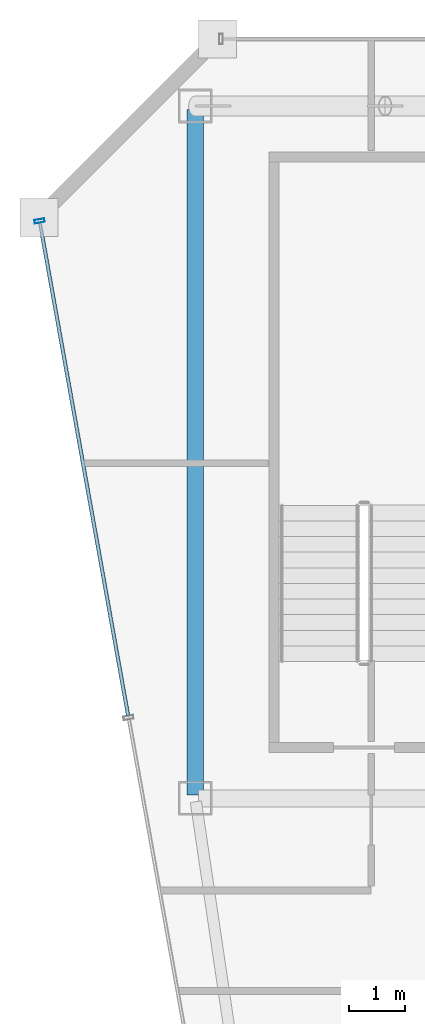
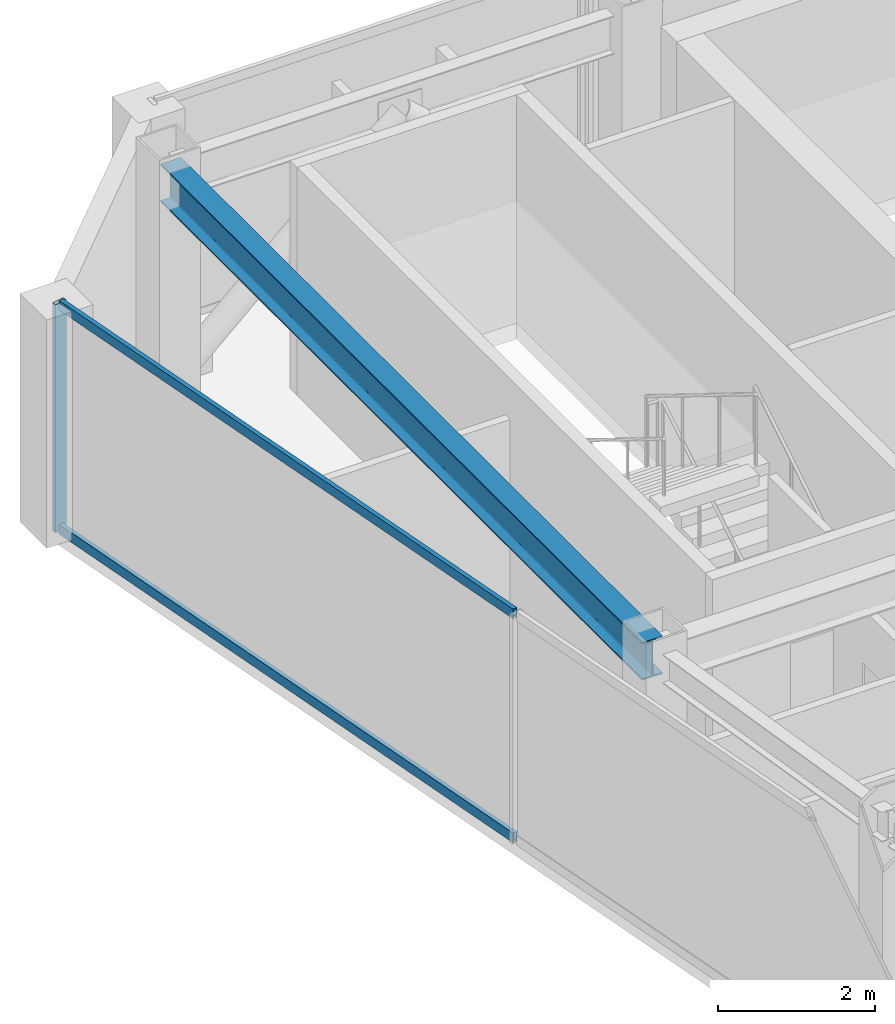
# One storey, part 10 of 32: 3 members, 1 beam, 1 element without a shape of its own.
"""IFC4 building model written with IfcOpenShell, lengths in metres."""

from ifc_helpers import new_model, si_unit, direction, frame, origin, origin_2d, place, context, subcontext, project, spatial, hollow_rectangle, i_section, extrude, material, material_profile, profile_set, type_object, element, aggregate, save


model = new_model("IFC4")

# Units and contexts
model_context = context("Model", 3, precision=1e-05, world=origin(), true_north=direction((0.0, 1.0)))
body_context = subcontext(model_context, "Body", "Model", "MODEL_VIEW")
ifc_project = project(units=[si_unit("LENGTHUNIT", "METRE"), si_unit("AREAUNIT", "SQUARE_METRE"), si_unit("VOLUMEUNIT", "CUBIC_METRE"), si_unit("PLANEANGLEUNIT", "RADIAN"), si_unit("MASSUNIT", "GRAM", prefix="KILO")], contexts=[model_context])

# Site, building, storey
site_placement = place(None, origin())
site = spatial("IfcSite", under=ifc_project, at=site_placement, CompositionType="ELEMENT")
building_placement = place(site_placement, origin())
building = spatial("IfcBuilding", under=site, at=building_placement, Name="Saevonmaru Cultural Tower", CompositionType="ELEMENT")
storey_placement = place(building_placement, frame((0.0, 0.0, 268.60009765625)))
storey = spatial("IfcBuildingStorey", under=building, at=storey_placement, Name="L63", CompositionType="ELEMENT", Elevation=268.60009765625)

# Beam
ifc_material_1 = material(Name="Steel SM355", Category="steel")
ifc_material_profile_1 = material_profile(ifc_material_1, i_section(OverallWidth=0.300048828125, OverallDepth=0.587890625, WebThickness=0.011962890625, FlangeThickness=0.02001953125, FilletRadius=0.02392578125, at=origin_2d()), Name="H-588x300x12x20")
ifc_profile_set_1 = profile_set([ifc_material_profile_1], Name="Steel SM355")
beam_type = type_object("IfcBeamType", Name="BM-G-H588", PredefinedType="BEAM", material=ifc_profile_set_1)
beam_placement = place(storey_placement, frame((6.800048828125, 54.739990234375, 3.255859375), z_axis=(0.0, -1.0, 0.0), x_axis=(1.0, 0.0, 0.0)))
element("IfcBeam", 1, at=beam_placement, inside=storey, type_object=beam_type, Name="L63 Spine Transverse Girder W", PredefinedType="BEAM", context=body_context, shape_type="SweptSolid", body=[
    extrude(i_section(OverallWidth=0.300048828125, OverallDepth=0.587890625, WebThickness=0.011962890625, FlangeThickness=0.02001953125, FilletRadius=0.02392578125, at=origin_2d()), origin(), (0.0, 0.0, 1.0), 12.280029296875),
])

# Curtain wall, members
ifc_material_2 = material(Name="Satin Bronze Anodised Aluminium", Category="aluminium")
curtain_wall_type = type_object("IfcCurtainWallType", Name="CW-TYP-B", PredefinedType="NOTDEFINED", material=ifc_material_2)
curtain_wall_placement = place(storey_placement, origin())
curtain_wall = element("IfcCurtainWall", 2, at=curtain_wall_placement, inside=storey, type_object=curtain_wall_type, Name="L63 Unitised Curtain Wall E12", PredefinedType="NOTDEFINED")
ifc_material_profile_2 = material_profile(ifc_material_2, hollow_rectangle(XDim=0.06494140625, YDim=0.179931640625, WallThickness=0.00390625, at=origin_2d()), Name="ALU-MULL-180x65x4")
ifc_profile_set_2 = profile_set([ifc_material_profile_2], Name="Satin Bronze Anodised Aluminium")
member_type_1 = type_object("IfcMemberType", Name="ML-CW-180x65", PredefinedType="MULLION", material=ifc_profile_set_2)
member_1_placement = place(storey_placement, frame((4.010498046875, 52.740966796875, 0.0), z_axis=(0.0, 0.0, 1.0), x_axis=(0.176140740755, -0.984364993001, 0.0)))
member_1 = element("IfcMember", 3, at=member_1_placement, type_object=member_type_1, Name="CW-TW-L63-E12 mullion 1", PredefinedType="MULLION", context=body_context, shape_type="SweptSolid", body=[
    extrude(hollow_rectangle(XDim=0.06494140625, YDim=0.179931640625, WallThickness=0.00390625, at=origin_2d()), origin(), (0.0, 0.0, 1.0), 3.5498046875),
])
ifc_material_profile_3 = material_profile(ifc_material_2, hollow_rectangle(XDim=0.06494140625, YDim=0.14990234375, WallThickness=0.00390625, at=origin_2d()), Name="ALU-TRAN-150x65x4")
ifc_profile_set_3 = profile_set([ifc_material_profile_3], Name="Satin Bronze Anodised Aluminium")
member_type_2 = type_object("IfcMemberType", Name="TR-CW-150x65", PredefinedType="USERDEFINED", material=ifc_profile_set_3)
member_2_placement = place(storey_placement, frame((4.016357421875, 52.708984375, 0.032470703125), z_axis=(0.176144810911, -0.984364264685, 0.0), x_axis=(0.984364264685, 0.176144810911, 0.0)))
member_2 = element("IfcMember", 4, at=member_2_placement, type_object=member_type_2, Name="CW-TW-L63-E12 transom 1.1", ObjectType="TRANSOM", PredefinedType="USERDEFINED", context=body_context, shape_type="SweptSolid", body=[
    extrude(hollow_rectangle(XDim=0.06494140625, YDim=0.14990234375, WallThickness=0.00390625, at=origin_2d()), origin(), (0.0, 0.0, 1.0), 8.97021484375),
])
member_3_placement = place(storey_placement, frame((4.016357421875, 52.708984375, 3.517333984375), z_axis=(0.176144810911, -0.984364264685, 0.0), x_axis=(0.984364264685, 0.176144810911, 0.0)))
member_3 = element("IfcMember", 5, at=member_3_placement, type_object=member_type_2, Name="CW-TW-L63-E12 transom 1.2", ObjectType="TRANSOM", PredefinedType="USERDEFINED", context=body_context, shape_type="SweptSolid", body=[
    extrude(hollow_rectangle(XDim=0.06494140625, YDim=0.14990234375, WallThickness=0.00390625, at=origin_2d()), origin(), (0.0, 0.0, 1.0), 8.97021484375),
])
aggregate(curtain_wall, [member_1, member_2, member_3])

save(model, "model.ifc")
